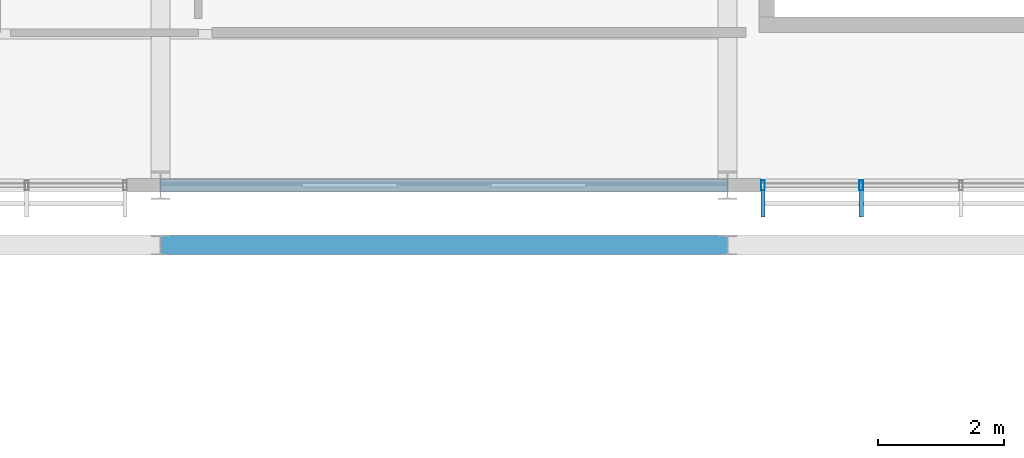
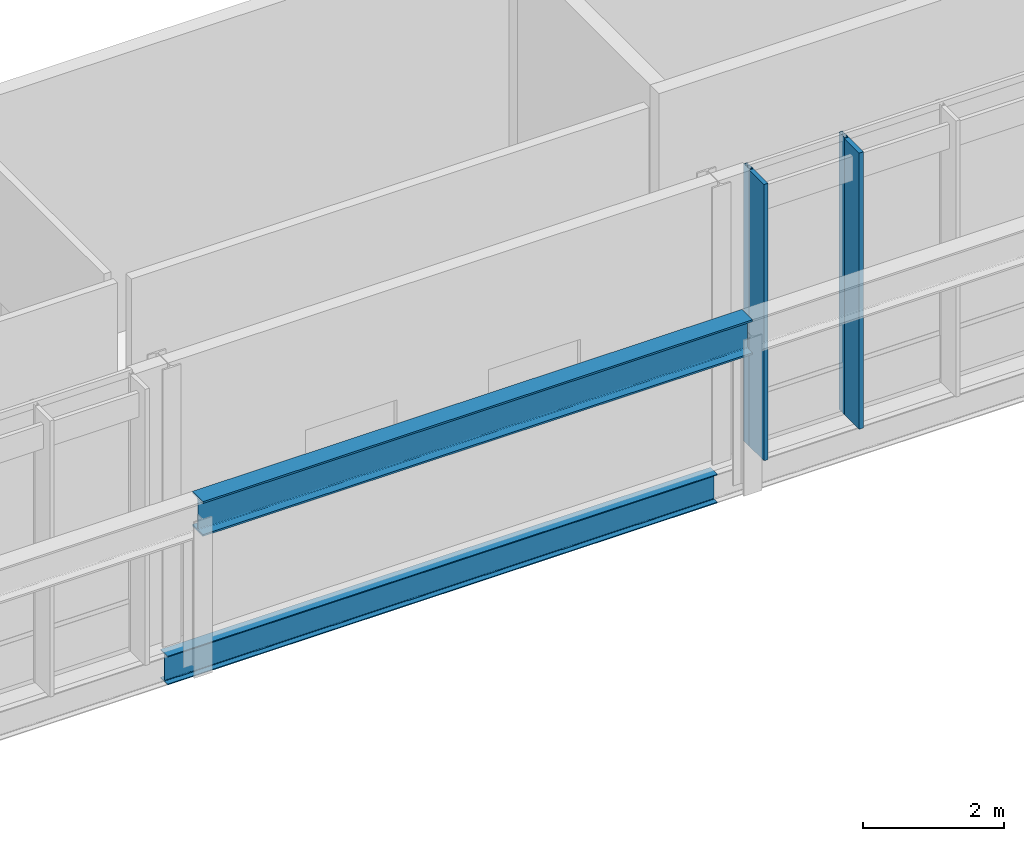
# One storey, part 107 of 177: 4 members, 2 beams, 1 element without a shape of its own.
"""IFC4 building model written with IfcOpenShell, lengths in metres."""

import ifcopenshell
import ifcopenshell.guid

model = None  # the IFC model being written
_history = None  # IfcOwnerHistory: only IFC2X3 demands one
_inside = {}  # id of a spatial element -> (the spatial element, [elements in it])
_under = {}  # id of a project, library or spatial element -> (it, [spatial elements below it])
_declared = {}  # id of a project -> (the project, [libraries it declares])
_typed = {}  # id of a type object -> (the type object, [elements of that type])
_made_of = {}  # id of a material, layer set ... -> (it, [elements and type objects made of it])


def new_model(schema):
    """Start an empty IFC model of exactly this schema.

    Asked for "IFC4X3", IfcOpenShell would pick the latest addendum, in which some entities
    have other attributes; the version numbers below select the first issue.
    IFC2X3 requires an IfcOwnerHistory on every rooted entity: one is made here for all.
    """
    global model, _history
    if schema == "IFC4X3":
        model = ifcopenshell.file(schema_version=(4, 3, 0, 0))
    else:
        model = ifcopenshell.file(schema=schema)
    _inside.clear()
    _under.clear()
    _declared.clear()
    _typed.clear()
    _made_of.clear()
    _history = None
    if model.schema == "IFC2X3":
        org = make("IfcOrganization", Name="unknown")
        user = make(
            "IfcPersonAndOrganization",
            ThePerson=make("IfcPerson", FamilyName="unknown"),
            TheOrganization=org,
        )
        app = make(
            "IfcApplication",
            ApplicationDeveloper=org,
            Version="unknown",
            ApplicationFullName="unknown",
            ApplicationIdentifier="unknown",
        )
        _history = make(
            "IfcOwnerHistory",
            OwningUser=user,
            OwningApplication=app,
            ChangeAction="ADDED",
            CreationDate=0,
        )
    return model


def make(cls, **values):
    """One entity of the class cls with the attributes given. An attribute that is None is left unset."""
    return model.create_entity(
        cls, **{name: value for name, value in values.items() if value is not None}
    )


def rooted(cls, **values):
    """An entity with a GlobalId (a new one), such as an element, a storey or a relation."""
    return make(cls, GlobalId=ifcopenshell.guid.new(), OwnerHistory=_history, **values)


def si_unit(unit_type, name, prefix=None):
    """IfcSIUnit, for example si_unit("LENGTHUNIT", "METRE", prefix="MILLI")."""
    return make("IfcSIUnit", UnitType=unit_type, Prefix=prefix, Name=name)


def assignment(units):
    """IfcUnitAssignment: the units of a project."""
    return None if units is None else make("IfcUnitAssignment", Units=units)


def point(xyz):
    """IfcCartesianPoint."""
    return None if xyz is None else make("IfcCartesianPoint", Coordinates=xyz)


def direction(xyz):
    """IfcDirection."""
    return None if xyz is None else make("IfcDirection", DirectionRatios=xyz)


def frame(location, z_axis=None, x_axis=None):
    """IfcAxis2Placement3D, a coordinate frame: its origin and axes. An axis left out is left unset."""
    return make(
        "IfcAxis2Placement3D",
        Location=point(location),
        Axis=direction(z_axis),
        RefDirection=direction(x_axis),
    )


def frame_2d(location, x_axis=None):
    """IfcAxis2Placement2D, a coordinate frame in the plane: its origin and x axis."""
    return make(
        "IfcAxis2Placement2D", Location=point(location), RefDirection=direction(x_axis)
    )


def origin():
    """The frame at (0, 0, 0) with its axes left unset."""
    return frame((0.0, 0.0, 0.0))


def origin_2d():
    """The frame at (0, 0) in the plane with its x axis left unset."""
    return frame_2d((0.0, 0.0))


def place(relative_to, where):
    """IfcLocalPlacement: puts the frame where relative to a parent placement (None: the world)."""
    return make(
        "IfcLocalPlacement", PlacementRelTo=relative_to, RelativePlacement=where
    )


def context(
    kind, dimensions, precision=None, world=None, true_north=None, identifier=None
):
    """IfcGeometricRepresentationContext, for example the 3D "Model" context."""
    return make(
        "IfcGeometricRepresentationContext",
        ContextIdentifier=identifier,
        ContextType=kind,
        CoordinateSpaceDimension=dimensions,
        Precision=precision,
        WorldCoordinateSystem=world,
        TrueNorth=true_north,
    )


def subcontext(parent, identifier, kind, view, scale=None):
    """IfcGeometricRepresentationSubContext, for example "Body" below "Model"."""
    return make(
        "IfcGeometricRepresentationSubContext",
        ContextIdentifier=identifier,
        ContextType=kind,
        ParentContext=parent,
        TargetScale=scale,
        TargetView=view,
    )


def project(units=None, contexts=None):
    """IfcProject with its units and contexts."""
    return rooted(
        "IfcProject",
        Name="project",
        RepresentationContexts=contexts,
        UnitsInContext=assignment(units),
    )


def spatial(cls, under=None, at=None, **own):
    """A site, building, storey or space (cls), placed at a placement, below another one or the project."""
    s = rooted(cls, ObjectPlacement=at, **own)
    if under is not None:
        _under.setdefault(under.id(), (under, []))[1].append(s)
    return s


def profile(cls, at=None, kind="AREA", **sizes):
    """A parametric profile (cls). Its sizes go by their IFC names, for example OverallWidth=200.0."""
    return make(cls, ProfileType=kind, Position=at, **sizes)


def rectangle(**sizes):
    """IfcRectangleProfileDef."""
    return profile("IfcRectangleProfileDef", **sizes)


def hollow_rectangle(**sizes):
    """IfcRectangleHollowProfileDef."""
    return profile("IfcRectangleHollowProfileDef", **sizes)


def i_section(**sizes):
    """IfcIShapeProfileDef."""
    return profile("IfcIShapeProfileDef", **sizes)


def extrude(swept, where, along, depth):
    """IfcExtrudedAreaSolid: the profile swept, set in the frame where, extruded along a direction by depth."""
    return make(
        "IfcExtrudedAreaSolid",
        SweptArea=swept,
        Position=where,
        ExtrudedDirection=direction(along),
        Depth=depth,
    )


def shape(context_of_items, identifier, shape_type, items):
    """IfcShapeRepresentation: the items that make up one representation, for example the "Body"."""
    return make(
        "IfcShapeRepresentation",
        ContextOfItems=context_of_items,
        RepresentationIdentifier=identifier,
        RepresentationType=shape_type,
        Items=items,
    )


def material(Name=None, Category=None):
    """IfcMaterial."""
    return make("IfcMaterial", Name=Name, Category=Category)


def material_profile(
    of_material, cross_section, Name=None, Category=None, Priority=None
):
    """IfcMaterialProfile: a cross section and its material."""
    return make(
        "IfcMaterialProfile",
        Name=Name,
        Material=of_material,
        Profile=cross_section,
        Priority=Priority,
        Category=Category,
    )


def profile_set(profiles, Name=None, composite=None):
    """IfcMaterialProfileSet."""
    return make(
        "IfcMaterialProfileSet",
        Name=Name,
        MaterialProfiles=profiles,
        CompositeProfile=composite,
    )


def made_of(thing, what):
    """Note that an element or type object is made of a material, layer set ...; save() writes the relation."""
    if what is not None:
        _made_of.setdefault(what.id(), (what, []))[1].append(thing)
    return thing


def type_object(cls, material=None, **own):
    """A type object (cls), such as IfcWallType, which elements share."""
    return made_of(rooted(cls, **own), material)


def element(
    cls,
    number,
    at=None,
    inside=None,
    cuts=None,
    type_object=None,
    material=None,
    context=None,
    identifier="Body",
    shape_type=None,
    held_by="IfcProductDefinitionShape",
    body=None,
    shapes=None,
    **own,
):
    """One element of the class cls, such as IfcWall. Its Tag is "e" and its number.

    at: its placement. inside: the storey or other place that contains it. cuts: it is an
    opening in that element (IfcRelVoidsElement). A single representation is given by context,
    identifier, shape_type and body (its items); several are given by shapes. held_by: the class
    of the entity that holds the representations. save() writes the other relations.
    """
    e = rooted(cls, Tag="e%d" % number, ObjectPlacement=at, **own)
    if body is not None:
        shapes = [shape(context, identifier, shape_type, body)]
    if shapes is not None:
        e.Representation = make(held_by, Representations=shapes)
    if inside is not None:
        _inside.setdefault(inside.id(), (inside, []))[1].append(e)
    if cuts is not None:
        rooted(
            "IfcRelVoidsElement", RelatingBuildingElement=cuts, RelatedOpeningElement=e
        )
    if type_object is not None:
        _typed.setdefault(type_object.id(), (type_object, []))[1].append(e)
    return made_of(e, material)


def aggregate(whole, parts):
    """IfcRelAggregates: a whole, such as a stair, and the parts it consists of."""
    return rooted("IfcRelAggregates", RelatingObject=whole, RelatedObjects=parts)


def save(model, path):
    """Write the relations noted so far, then the file.

    IfcRelAggregates (storeys below a building ...), IfcRelContainedInSpatialStructure (elements
    in a storey), IfcRelDefinesByType, IfcRelAssociatesMaterial and IfcRelDeclares: one each for
    every whole, place, type object, material and project.
    """
    for whole, parts in _under.values():
        aggregate(whole, parts)
    for where, things in _inside.values():
        rooted(
            "IfcRelContainedInSpatialStructure",
            RelatedElements=things,
            RelatingStructure=where,
        )
    for kind, things in _typed.values():
        rooted("IfcRelDefinesByType", RelatedObjects=things, RelatingType=kind)
    for what, things in _made_of.values():
        rooted("IfcRelAssociatesMaterial", RelatedObjects=things, RelatingMaterial=what)
    for by, libraries in _declared.values():
        rooted("IfcRelDeclares", RelatingContext=by, RelatedDefinitions=libraries)
    model.write(path)


model = new_model("IFC4")

# Units and contexts
model_context = context("Model", 3, precision=1e-05, world=origin(), true_north=direction((0.0, 1.0)))
body_context = subcontext(model_context, "Body", "Model", "MODEL_VIEW")
ifc_project = project(units=[si_unit("LENGTHUNIT", "METRE"), si_unit("AREAUNIT", "SQUARE_METRE"), si_unit("VOLUMEUNIT", "CUBIC_METRE"), si_unit("PLANEANGLEUNIT", "RADIAN"), si_unit("MASSUNIT", "GRAM", prefix="KILO")], contexts=[model_context])

# Site, building, storey
site_placement = place(None, origin())
site = spatial("IfcSite", under=ifc_project, at=site_placement, CompositionType="ELEMENT")
building_placement = place(site_placement, origin())
building = spatial("IfcBuilding", under=site, at=building_placement, Name="Chiffa Square Polytechnic", CompositionType="ELEMENT")
storey_placement = place(building_placement, frame((0.0, 0.0, 4.800048828125)))
storey = spatial("IfcBuildingStorey", under=building, at=storey_placement, Name="L01", CompositionType="ELEMENT", Elevation=4.800048828125)

# Beams
ifc_material_1 = material(Name="Steel S355", Category="steel")
ifc_material_profile_1 = material_profile(ifc_material_1, i_section(OverallWidth=0.199951171875, OverallDepth=0.5, WebThickness=0.01025390625, FlangeThickness=0.01611328125, FilletRadius=0.02099609375, at=origin_2d()), Name="IPE 500")
ifc_profile_set_1 = profile_set([ifc_material_profile_1], Name="Steel S355")
beam_type_1 = type_object("IfcBeamType", Name="BM-STL-IPE500", PredefinedType="BEAM", material=ifc_profile_set_1)
beam_1_placement = place(storey_placement, frame((148.199951171875, 87.0, -0.530029296875), z_axis=(1.0, 0.0, 0.0), x_axis=(0.0, 1.0, 0.0)))
element("IfcBeam", 1, at=beam_1_placement, inside=storey, type_object=beam_type_1, Name="Primary floor girder BM-V2-L01-X-1482-0870", PredefinedType="BEAM", context=body_context, shape_type="SweptSolid", body=[
    extrude(i_section(OverallWidth=0.199951171875, OverallDepth=0.5, WebThickness=0.01025390625, FlangeThickness=0.01611328125, FilletRadius=0.02099609375, at=origin_2d()), origin(), (0.0, 0.0, 1.0), 9.0),
])
ifc_material_profile_2 = material_profile(ifc_material_1, i_section(OverallWidth=0.300048828125, OverallDepth=0.60009765625, WebThickness=0.015380859375, FlangeThickness=0.030029296875, FilletRadius=0.027099609375, at=origin_2d()), Name="HEB 600")
ifc_profile_set_2 = profile_set([ifc_material_profile_2], Name="Steel S355")
beam_type_2 = type_object("IfcBeamType", Name="CG-STL-HEB600", PredefinedType="USERDEFINED", material=ifc_profile_set_2)
beam_2_placement = place(storey_placement, frame((148.199951171875, 86.050048828125, 2.699951171875), z_axis=(1.0, 0.0, 0.0), x_axis=(0.0, 1.0, 0.0)))
element("IfcBeam", 2, at=beam_2_placement, inside=storey, type_object=beam_type_2, Name="Bridge crane runway girder CG-V2-L01-N05", ObjectType="CRANE GIRDER", PredefinedType="USERDEFINED", context=body_context, shape_type="SweptSolid", body=[
    extrude(i_section(OverallWidth=0.300048828125, OverallDepth=0.60009765625, WebThickness=0.015380859375, FlangeThickness=0.030029296875, FilletRadius=0.027099609375, at=origin_2d()), origin(), (0.0, 0.0, 1.0), 9.0),
])

# Curtain wall, members
ifc_material_2 = material(Name="Aluminium EN AW-6060 T66 and glulam shading", Category="wood")
curtain_wall_type = type_object("IfcCurtainWallType", Name="CW-VERT-360X380", PredefinedType="USERDEFINED", material=ifc_material_2)
curtain_wall_placement = place(storey_placement, origin())
curtain_wall = element("IfcCurtainWall", 3, at=curtain_wall_placement, inside=storey, type_object=curtain_wall_type, Name="Curtain wall CW-V2-L01-149", ObjectType="CURTAIN WALL", PredefinedType="USERDEFINED")
ifc_material_3 = material(Name="Aluminium EN AW-6060 T66", Category="aluminium")
ifc_material_profile_3 = material_profile(ifc_material_3, hollow_rectangle(XDim=0.06005859375, YDim=0.159912109375, WallThickness=0.00390625, at=origin_2d()), Name="ALU 60x160x4")
ifc_profile_set_3 = profile_set([ifc_material_profile_3], Name="Aluminium EN AW-6060 T66")
member_type_1 = type_object("IfcMemberType", Name="CWM-ALU-65X150", PredefinedType="MULLION", material=ifc_profile_set_3)
member_1_placement = place(storey_placement, frame((157.764892578125, 87.0, 0.0), z_axis=(0.0, 0.0, 1.0), x_axis=(1.0, 0.0, 0.0)))
member_1 = element("IfcMember", 4, at=member_1_placement, type_object=member_type_1, Name="Curtain wall mullion CW-V2-L01-149-M00", PredefinedType="MULLION", context=body_context, shape_type="SweptSolid", body=[
    extrude(hollow_rectangle(XDim=0.06005859375, YDim=0.159912109375, WallThickness=0.00390625, at=origin_2d()), origin(), (0.0, 0.0, 1.0), 4.800048828125),
])
member_2_placement = place(storey_placement, frame((159.323974609375, 87.0, 0.0), z_axis=(0.0, 0.0, 1.0), x_axis=(1.0, 0.0, 0.0)))
member_2 = element("IfcMember", 5, at=member_2_placement, type_object=member_type_1, Name="Curtain wall mullion CW-V2-L01-149-M01", PredefinedType="MULLION", context=body_context, shape_type="SweptSolid", body=[
    extrude(hollow_rectangle(XDim=0.06005859375, YDim=0.159912109375, WallThickness=0.00390625, at=origin_2d()), origin(), (0.0, 0.0, 1.0), 4.800048828125),
])
ifc_material_4 = material(Name="Glulam GL28h", Category="wood")
ifc_material_profile_4 = material_profile(ifc_material_4, rectangle(XDim=0.070068359375, YDim=0.419921875, at=origin_2d()), Name="GL28h 70x420")
ifc_profile_set_4 = profile_set([ifc_material_profile_4], Name="Glulam GL28h")
member_type_2 = type_object("IfcMemberType", Name="CWM-GL-70X420", PredefinedType="MULLION", material=ifc_profile_set_4)
member_3_placement = place(storey_placement, frame((157.764892578125, 86.7080078125, 0.010009765625), z_axis=(0.0, 0.0, 1.0), x_axis=(1.0, 0.0, 0.0)))
member_3 = element("IfcMember", 6, at=member_3_placement, type_object=member_type_2, Name="Exterior glulam solar fin CW-V2-L01-149-FN00", PredefinedType="MULLION", context=body_context, shape_type="SweptSolid", body=[
    extrude(rectangle(XDim=0.070068359375, YDim=0.419921875, at=origin_2d()), origin(), (0.0, 0.0, 1.0), 4.780029296875),
])
member_4_placement = place(storey_placement, frame((159.323974609375, 86.7080078125, 0.010009765625), z_axis=(0.0, 0.0, 1.0), x_axis=(1.0, 0.0, 0.0)))
member_4 = element("IfcMember", 7, at=member_4_placement, type_object=member_type_2, Name="Exterior glulam solar fin CW-V2-L01-149-FN01", PredefinedType="MULLION", context=body_context, shape_type="SweptSolid", body=[
    extrude(rectangle(XDim=0.070068359375, YDim=0.419921875, at=origin_2d()), origin(), (0.0, 0.0, 1.0), 4.780029296875),
])
aggregate(curtain_wall, [member_1, member_3, member_2, member_4])

save(model, "model.ifc")
